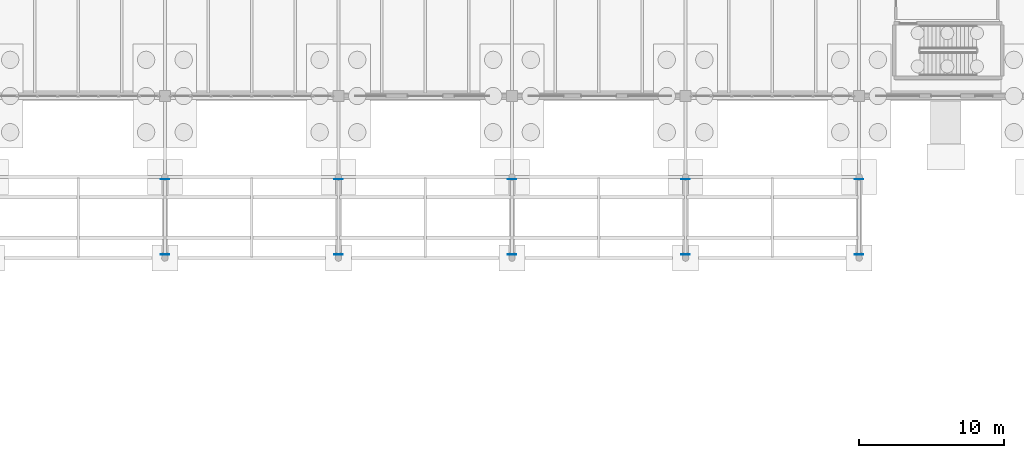
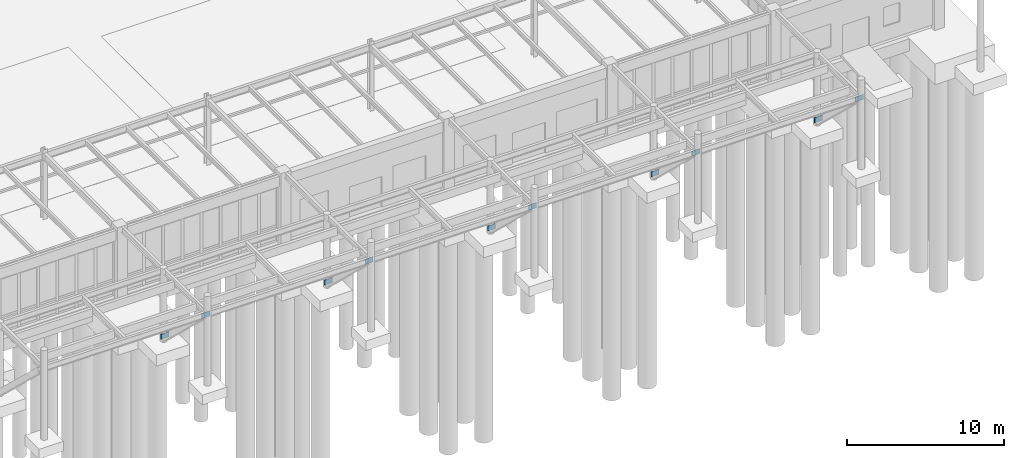
# One storey, part 148 of 188: 10 plates.
"""IFC4 building model written with IfcOpenShell, lengths in metres."""

from ifc_helpers import new_model, si_unit, direction, frame, origin, origin_2d, place, context, subcontext, project, spatial, rectangle, extrude, material, layer, layer_set, type_object, element, save


model = new_model("IFC4")

# Units and contexts
model_context = context("Model", 3, precision=1e-05, world=origin(), true_north=direction((0.0, 1.0)))
body_context = subcontext(model_context, "Body", "Model", "MODEL_VIEW")
ifc_project = project(units=[si_unit("LENGTHUNIT", "METRE"), si_unit("AREAUNIT", "SQUARE_METRE"), si_unit("VOLUMEUNIT", "CUBIC_METRE"), si_unit("PLANEANGLEUNIT", "RADIAN"), si_unit("MASSUNIT", "GRAM", prefix="KILO")], contexts=[model_context])

# Site, building, storey
site_placement = place(None, origin())
site = spatial("IfcSite", under=ifc_project, at=site_placement, CompositionType="ELEMENT")
building_placement = place(site_placement, origin())
building = spatial("IfcBuilding", under=site, at=building_placement, Name="Pandanus Reach Market Hall", CompositionType="ELEMENT")
storey_placement = place(building_placement, origin())
storey = spatial("IfcBuildingStorey", under=building, at=storey_placement, Name="L00", CompositionType="ELEMENT", Elevation=0.0)

# Plates
ifc_material = material(Name="Steel Grade 350 (350 MPa)", Category="steel")
ifc_layer = layer(ifc_material, 0.02392578125, Name="GS-PL24")
ifc_layer_set = layer_set([ifc_layer], Name="Steel Grade 350 (350 MPa)")
plate_type = type_object("IfcPlateType", Name="GS-PL24", PredefinedType="SHEET", material=ifc_layer_set)
for number, where, z_axis, x_axis, name in (
    (1, (72.0, 23.050048828125, -0.02001953125), (0.0, 0.0, 1.0), (1.0, 0.0, 0.0), "Canopy splayed strut anchorage plate GS-PL24 C2A"),
    (2, (72.0, 17.85009765625, 4.75), (0.0, 0.0, 1.0), (1.0, 0.0, 0.0), "Canopy splayed strut anchorage plate GS-PL24 C2B"),
    (3, (84.0, 23.050048828125, -0.02001953125), (0.0, 0.0, 1.0), (1.0, 0.0, 0.0), "Canopy splayed strut anchorage plate GS-PL24 C3A"),
    (4, (84.0, 17.85009765625, 4.75), (0.0, 0.0, 1.0), (1.0, 0.0, 0.0), "Canopy splayed strut anchorage plate GS-PL24 C3B"),
    (5, (96.0, 23.050048828125, -0.02001953125), (0.0, 0.0, 1.0), (1.0, 0.0, 0.0), "Canopy splayed strut anchorage plate GS-PL24 C4A"),
    (6, (96.0, 17.85009765625, 4.75), (0.0, 0.0, 1.0), (1.0, 0.0, 0.0), "Canopy splayed strut anchorage plate GS-PL24 C4B"),
    (7, (108.0, 23.050048828125, -0.02001953125), (0.0, 0.0, 1.0), (1.0, 0.0, 0.0), "Canopy splayed strut anchorage plate GS-PL24 C5A"),
    (8, (108.0, 17.85009765625, 4.75), (0.0, 0.0, 1.0), (1.0, 0.0, 0.0), "Canopy splayed strut anchorage plate GS-PL24 C5B"),
    (9, (120.0, 23.050048828125, -0.02001953125), (0.0, 0.0, 1.0), (1.0, 0.0, 0.0), "Canopy splayed strut anchorage plate GS-PL24 C6A"),
    (10, (120.0, 17.85009765625, 4.75), (0.0, 0.0, 1.0), (1.0, 0.0, 0.0), "Canopy splayed strut anchorage plate GS-PL24 C6B"),
):
    element("IfcPlate", number, at=place(storey_placement, frame(where, z_axis=z_axis, x_axis=x_axis)), inside=storey, type_object=plate_type, Name=name, PredefinedType="SHEET", context=body_context, shape_type="SweptSolid", body=[
        extrude(rectangle(XDim=0.60009765625, YDim=0.02392578125, at=origin_2d()), origin(), (0.0, 0.0, 1.0), 0.39990234375),
    ])

save(model, "model.ifc")
